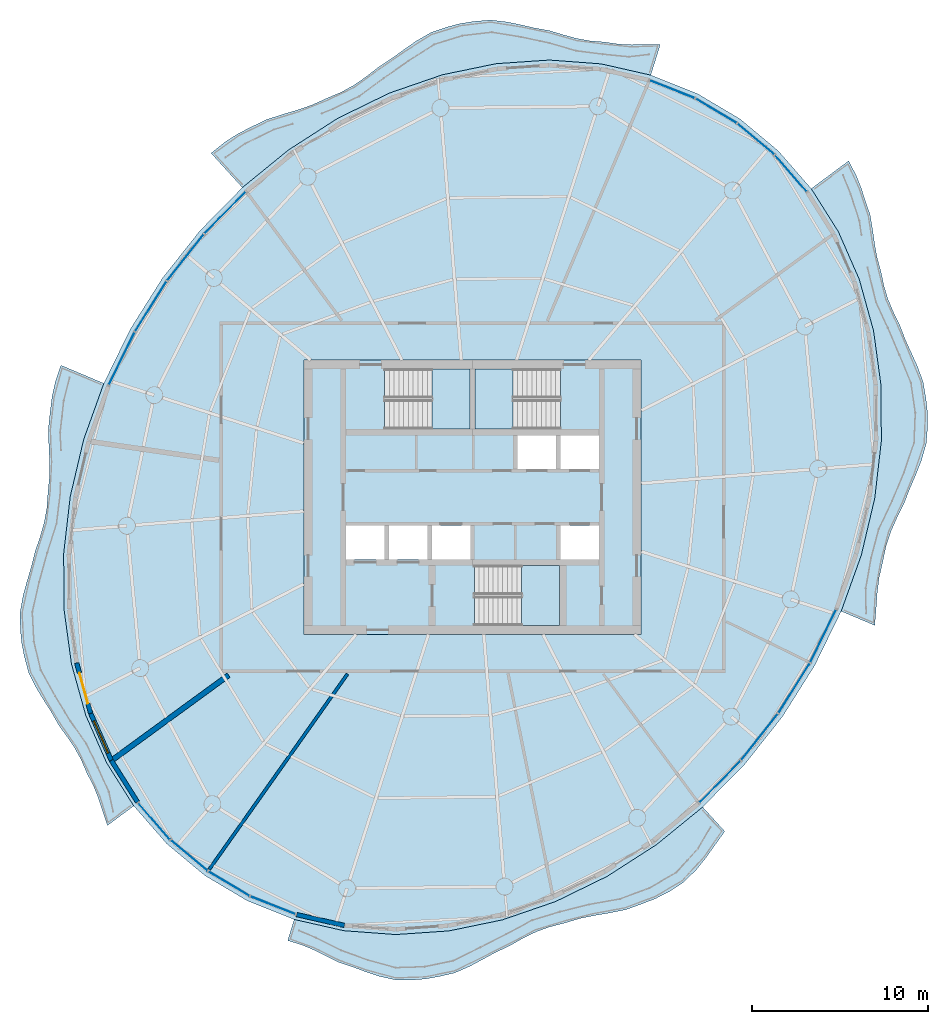
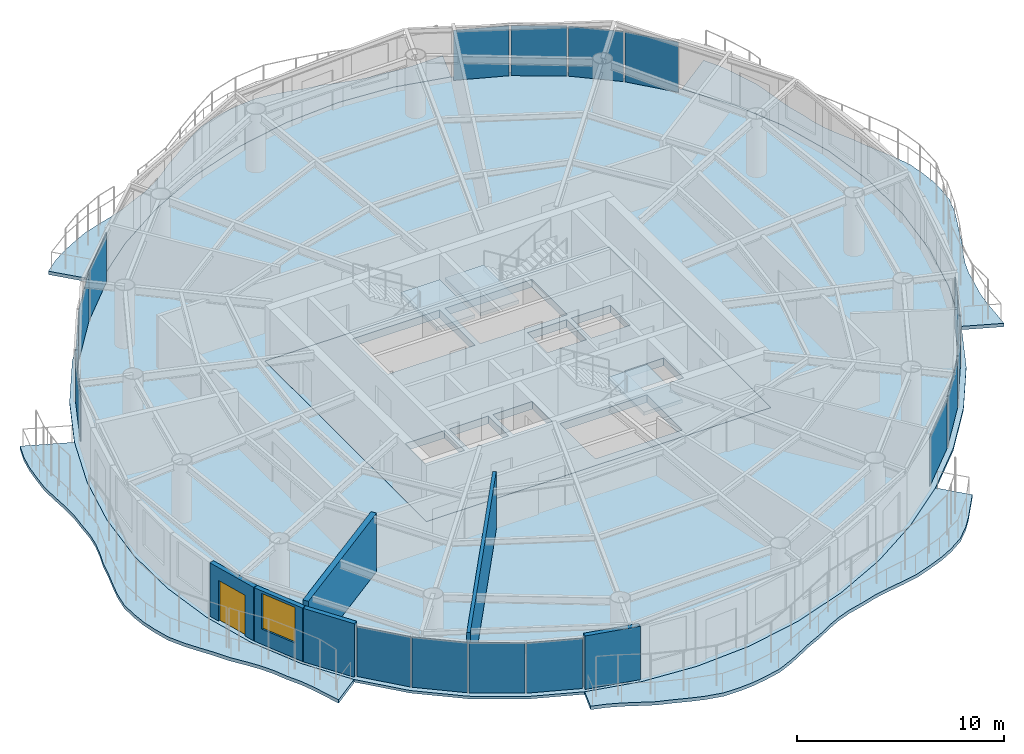
# One storey, part 7 of 14: 16 plates, 9 slabs, 6 walls, 1 door, 1 window, 2 openings, 19 elements without a shape of their own.
"""IFC4 building model written with IfcOpenShell, lengths in metres."""

from ifc_helpers import new_model, si_unit, direction, frame, frame_2d, origin, origin_2d, place, context, subcontext, project, spatial, polyline, rectangle, outline, extrude, material, layer, layer_set, type_object, element, fill, aggregate, save


model = new_model("IFC4")

# Units and contexts
model_context = context("Model", 3, precision=1e-05, world=origin(), true_north=direction((0.0, 1.0)))
body_context = subcontext(model_context, "Body", "Model", "MODEL_VIEW")
ifc_project = project(units=[si_unit("LENGTHUNIT", "METRE"), si_unit("AREAUNIT", "SQUARE_METRE"), si_unit("VOLUMEUNIT", "CUBIC_METRE"), si_unit("PLANEANGLEUNIT", "RADIAN"), si_unit("MASSUNIT", "GRAM", prefix="KILO")], contexts=[model_context])

# Site, building, storey
site_placement = place(None, origin())
site = spatial("IfcSite", under=ifc_project, at=site_placement, CompositionType="ELEMENT")
building_placement = place(site_placement, origin())
building = spatial("IfcBuilding", under=site, at=building_placement, Name="Vermilion Reach Broadcast Tower", CompositionType="ELEMENT")
storey_placement = place(building_placement, frame((0.0, 0.0, 254.10009765625)))
storey = spatial("IfcBuildingStorey", under=building, at=storey_placement, Name="L62", CompositionType="ELEMENT", Elevation=254.10009765625)

# Slabs
ifc_material_1 = material(Name="Concrete C40/50", Category="concrete")
ifc_layer_1 = layer(ifc_material_1, 0.199951171875)
ifc_layer_set_1 = layer_set([ifc_layer_1], Name="Balcony slab 200")
slab_type_1 = type_object("IfcSlabType", Name="Balcony slab 200", PredefinedType="FLOOR", material=ifc_layer_set_1)
placement_1 = place(storey_placement, frame((0.0, 0.0, -0.2001953125)))
element("IfcSlab", 1, at=placement_1, inside=storey, type_object=slab_type_1, Name="Balcony slab L62 group 1", PredefinedType="FLOOR", context=body_context, shape_type="SweptSolid", body=[
    extrude(outline(polyline([(4.143310546875, 24.01708984375), (1.318603515625, 24.65771484375), (-1.631103515625, 24.87646484375), (-4.65576171875, 24.66943359375), (-7.703369140625, 24.040283203125), (-10.7216796875, 23.0), (-13.659423828125, 21.566162109375), (-16.466064453125, 19.76318359375), (-19.093505859375, 17.6220703125), (-20.87353515625, 19.5771484375), (-20.1015625, 20.20068359375), (-19.383544921875, 20.660888671875), (-18.614990234375, 21.05908203125), (-17.71826171875, 21.490234375), (-16.779052734375, 21.79345703125), (-15.946044921875, 22.039794921875), (-15.13525390625, 22.32080078125), (-14.29736328125, 22.699951171875), (-13.473388671875, 23.048095703125), (-12.756103515625, 23.44189453125), (-12.07568359375, 23.91064453125), (-11.33642578125, 24.48291015625), (-10.563720703125, 24.99072265625), (-9.887939453125, 25.480224609375), (-9.207763671875, 25.95556640625), (-8.362548828125, 26.443359375), (-7.468017578125, 26.74951171875), (-6.715087890625, 26.9501953125), (-5.946044921875, 27.072509765625), (-4.99560546875, 27.15478515625), (-4.058837890625, 27.049072265625), (-3.288330078125, 26.890380859375), (-2.5166015625, 26.713134765625), (-1.62646484375, 26.550048828125), (-0.7841796875, 26.298095703125), (-0.05712890625, 26.103515625), (0.674560546875, 25.971435546875), (1.505126953125, 25.9033203125), (2.316650390625, 25.783935546875), (3.050537109375, 25.74609375), (3.79541015625, 25.757080078125), (4.685791015625, 25.7685546875), (4.143310546875, 24.01708984375)])), origin(), (0.0, 0.0, 1.0), 0.2001953125),
])
element("IfcSlab", 2, at=placement_1, inside=storey, type_object=slab_type_1, Name="Balcony slab L62 group 2", PredefinedType="FLOOR", context=body_context, shape_type="SweptSolid", body=[
    extrude(outline(polyline([(-26.975341796875, 6.48193359375), (-28.119873046875, 3.291748046875), (-28.8857421875, 0.045166015625), (-29.26025390625, -3.202392578125), (-29.23681640625, -6.39501953125), (-28.815673828125, -9.47802734375), (-28.004150390625, -12.399169921875), (-26.816162109375, -15.10791015625), (-25.27197265625, -17.558349609375), (-26.771484375, -18.673828125), (-27.055419921875, -17.826416015625), (-27.28759765625, -17.11669921875), (-27.559814453125, -16.432373046875), (-27.933837890625, -15.700927734375), (-28.26416015625, -14.935546875), (-28.622314453125, -14.28515625), (-29.03955078125, -13.66064453125), (-29.550537109375, -12.949951171875), (-29.996826171875, -12.166015625), (-30.421630859375, -11.49755859375), (-30.83203125, -10.824951171875), (-31.25048828125, -9.980224609375), (-31.499267578125, -9.0595703125), (-31.6513671875, -8.295166015625), (-31.724609375, -7.52001953125), (-31.744140625, -6.57470703125), (-31.57373046875, -5.614013671875), (-31.356201171875, -4.814208984375), (-31.119873046875, -4.01416015625), (-30.89453125, -3.114501953125), (-30.5927734375, -2.22607421875), (-30.36669921875, -1.429443359375), (-30.2216796875, -0.62353515625), (-30.1552734375, 0.267333984375), (-30.066162109375, 1.180419921875), (-30.06298828125, 2.03662109375), (-30.104248046875, 2.903076171875), (-30.132080078125, 3.887939453125), (-30.02978515625, 4.877197265625), (-29.91845703125, 5.737548828125), (-29.73486328125, 6.57177734375), (-29.416015625, 7.511962890625), (-26.975341796875, 6.48193359375)])), origin(), (0.0, 0.0, 1.0), 0.2001953125),
])
element("IfcSlab", 3, at=placement_1, inside=storey, type_object=slab_type_1, Name="Balcony slab L62 group 3", PredefinedType="FLOOR", context=body_context, shape_type="SweptSolid", body=[
    extrude(outline(polyline([(-16.143310546875, -24.01708984375), (-13.318603515625, -24.65771484375), (-10.368896484375, -24.87646484375), (-7.34423828125, -24.66943359375), (-4.296630859375, -24.040283203125), (-1.2783203125, -23.0), (1.659423828125, -21.566162109375), (4.466064453125, -19.76318359375), (7.093505859375, -17.6220703125), (8.3544921875, -19.007080078125), (7.7802734375, -19.806396484375), (7.2705078125, -20.52197265625), (6.7255859375, -21.19482421875), (6.015380859375, -21.89990234375), (5.19189453125, -22.436279296875), (4.444580078125, -22.81591796875), (3.654296875, -23.128662109375), (2.725830078125, -23.46142578125), (1.76953125, -23.65478515625), (0.9287109375, -23.795166015625), (0.1025390625, -23.9658203125), (-0.77001953125, -24.225830078125), (-1.6240234375, -24.446533203125), (-2.3740234375, -24.719482421875), (-3.09765625, -25.070068359375), (-3.89111328125, -25.51904296875), (-4.706787109375, -25.90234375), (-5.42138671875, -26.2890625), (-6.136474609375, -26.673095703125), (-7.01708984375, -27.061279296875), (-7.926025390625, -27.270751953125), (-8.676513671875, -27.403564453125), (-9.432373046875, -27.4619140625), (-10.376220703125, -27.4580078125), (-11.286865234375, -27.258056640625), (-12.010986328125, -27.02099609375), (-12.732421875, -26.751953125), (-13.5888671875, -26.462890625), (-14.381591796875, -26.070556640625), (-15.04931640625, -25.74072265625), (-15.72802734375, -25.460205078125), (-16.515625, -25.219482421875), (-16.143310546875, -24.01708984375)])), origin(), (0.0, 0.0, 1.0), 0.2001953125),
])
element("IfcSlab", 4, at=placement_1, inside=storey, type_object=slab_type_1, Name="Balcony slab L62 group 4", PredefinedType="FLOOR", context=body_context, shape_type="SweptSolid", body=[
    extrude(outline(polyline([(14.975341796875, -6.48193359375), (16.119873046875, -3.291748046875), (16.8857421875, -0.045166015625), (17.26025390625, 3.202392578125), (17.23681640625, 6.39501953125), (16.815673828125, 9.47802734375), (16.004150390625, 12.399169921875), (14.816162109375, 15.10791015625), (13.27197265625, 17.558349609375), (15.3955078125, 19.13818359375), (15.8291015625, 18.31396484375), (16.10205078125, 17.630126953125), (16.33447265625, 16.920654296875), (16.623046875, 16.066650390625), (16.775390625, 15.15966796875), (16.87939453125, 14.39794921875), (17.015869140625, 13.650390625), (17.2392578125, 12.8388671875), (17.413330078125, 12.004150390625), (17.6357421875, 11.279052734375), (17.9287109375, 10.573974609375), (18.310302734375, 9.786376953125), (18.636474609375, 8.941650390625), (18.9736328125, 8.202392578125), (19.308837890625, 7.463134765625), (19.636962890625, 6.56689453125), (19.799560546875, 5.61572265625), (19.887939453125, 4.818115234375), (19.8935546875, 4.02001953125), (19.817626953125, 3.064697265625), (19.547119140625, 2.115966796875), (19.238525390625, 1.328857421875), (18.901123046875, 0.545166015625), (18.554443359375, -0.337158203125), (18.131591796875, -1.19580078125), (17.79150390625, -1.972412109375), (17.53125, -2.767822265625), (17.34326171875, -3.654296875), (17.137939453125, -4.55712890625), (17.028564453125, -5.418212890625), (16.967041015625, -6.29638671875), (16.884765625, -7.287841796875), (14.975341796875, -6.48193359375)])), origin(), (0.0, 0.0, 1.0), 0.2001953125),
])
ifc_material_2 = material(Name="Concrete C40", Category="concrete")
ifc_layer_2 = layer(ifc_material_2, 0.449951171875)
ifc_layer_set_2 = layer_set([ifc_layer_2], Name="Core floor slab 450 mm Concrete C40")
slab_type_2 = type_object("IfcSlabType", Name="Core floor slab 450 mm Concrete C40", PredefinedType="FLOOR", material=ifc_layer_set_2)
slab_5_placement = place(storey_placement, frame((0.0, 0.0, -0.4501953125)))
element("IfcSlab", 5, at=slab_5_placement, inside=storey, type_object=slab_type_2, Name="L62 core floor", PredefinedType="FLOOR", context=body_context, shape_type="SweptSolid", body=[
    extrude(outline(polyline([(-15.60009765625, -7.800048828125), (3.60009765625, -7.800048828125), (3.60009765625, 7.800048828125), (-15.60009765625, 7.800048828125), (-15.60009765625, -7.800048828125)]), holes=[polyline([(-3.433349609375, 1.60009765625), (-1.24169921875, 1.60009765625), (-1.24169921875, 3.530029296875), (-3.433349609375, 3.530029296875), (-3.433349609375, 1.60009765625)]), polyline([(-0.99169921875, 1.60009765625), (1.199951171875, 1.60009765625), (1.199951171875, 3.530029296875), (-0.99169921875, 3.530029296875), (-0.99169921875, 1.60009765625)]), polyline([(-13.199951171875, -3.530029296875), (-11.00830078125, -3.530029296875), (-11.00830078125, -1.60009765625), (-13.199951171875, -1.60009765625), (-13.199951171875, -3.530029296875)]), polyline([(-10.75830078125, -3.530029296875), (-8.566650390625, -3.530029296875), (-8.566650390625, -1.60009765625), (-10.75830078125, -1.60009765625), (-10.75830078125, -3.530029296875)]), polyline([(-8.316650390625, -3.530029296875), (-6.125, -3.530029296875), (-6.125, -1.60009765625), (-8.316650390625, -1.60009765625), (-8.316650390625, -3.530029296875)]), polyline([(-0.99169921875, -3.530029296875), (1.199951171875, -3.530029296875), (1.199951171875, -1.60009765625), (-0.99169921875, -1.60009765625), (-0.99169921875, -3.530029296875)]), polyline([(-10.999267578125, 3.8798828125), (-6.14990234375, 3.8798828125), (-6.14990234375, 7.300048828125), (-10.999267578125, 7.300048828125), (-10.999267578125, 3.8798828125)]), polyline([(-1.000732421875, 7.300048828125), (-5.85009765625, 7.300048828125), (-5.85009765625, 3.8798828125), (-1.000732421875, 3.8798828125), (-1.000732421875, 7.300048828125)]), polyline([(-5.8994140625, -7.300048828125), (-1.050048828125, -7.300048828125), (-1.050048828125, -3.8798828125), (-5.8994140625, -3.8798828125), (-5.8994140625, -7.300048828125)])]), origin(), (0.0, 0.0, 1.0), 0.4501953125),
])

# Stair, slab
ifc_material_3 = material(Name="Concrete C40", Category="concrete")
stair_type = type_object("IfcStairType", Name="Exit stair RC 22 risers 164 mm", PredefinedType="HALF_TURN_STAIR", material=ifc_material_3)
placement_2 = place(storey_placement, origin())
stair_1 = element("IfcStair", 6, at=placement_2, inside=storey, type_object=stair_type, Name="L62 Exit stair ST1", PredefinedType="HALF_TURN_STAIR")
ifc_material_4 = material(Name="Concrete C40", Category="concrete")
ifc_layer_3 = layer(ifc_material_4, 0.199951171875)
ifc_layer_set_3 = layer_set([ifc_layer_3], Name="Exit stair landing Concrete C40")
slab_type_3 = type_object("IfcSlabType", Name="Exit stair landing Concrete C40", PredefinedType="LANDING", material=ifc_layer_set_3)
placement_3 = place(storey_placement, frame((0.0, 0.0, 1.599853515625)))
slab_6 = element("IfcSlab", 7, at=placement_3, type_object=slab_type_3, Name="ST1 landing 1", PredefinedType="LANDING", context=body_context, shape_type="SweptSolid", body=[
    extrude(outline(polyline([(-8.300048828125, 3.8798828125), (-6.14990234375, 3.8798828125), (-6.14990234375, 7.300048828125), (-8.300048828125, 7.300048828125), (-8.300048828125, 3.8798828125)])), origin(), (0.0, 0.0, 1.0), 0.199951171875),
])
aggregate(stair_1, [slab_6])

stair_2 = element("IfcStair", 8, at=placement_2, inside=storey, type_object=stair_type, Name="L62 Exit stair ST2", PredefinedType="HALF_TURN_STAIR")
slab_7 = element("IfcSlab", 9, at=placement_3, type_object=slab_type_3, Name="ST2 landing 1", PredefinedType="LANDING", context=body_context, shape_type="SweptSolid", body=[
    extrude(outline(polyline([(-3.699951171875, 7.300048828125), (-5.85009765625, 7.300048828125), (-5.85009765625, 3.8798828125), (-3.699951171875, 3.8798828125), (-3.699951171875, 7.300048828125)])), origin(), (0.0, 0.0, 1.0), 0.199951171875),
])
aggregate(stair_2, [slab_7])

stair_3 = element("IfcStair", 10, at=placement_2, inside=storey, type_object=stair_type, Name="L62 Exit stair ST3", PredefinedType="HALF_TURN_STAIR")
slab_8 = element("IfcSlab", 11, at=placement_3, type_object=slab_type_3, Name="ST3 landing 1", PredefinedType="LANDING", context=body_context, shape_type="SweptSolid", body=[
    extrude(outline(polyline([(-3.199951171875, -7.300048828125), (-1.050048828125, -7.300048828125), (-1.050048828125, -3.8798828125), (-3.199951171875, -3.8798828125), (-3.199951171875, -7.300048828125)])), origin(), (0.0, 0.0, 1.0), 0.199951171875),
])
aggregate(stair_3, [slab_8])

# Slab
ifc_material_5 = material(Name="Concrete C40", Category="concrete")
ifc_layer_4 = layer(ifc_material_5, 0.14990234375)
ifc_layer_set_4 = layer_set([ifc_layer_4], Name="Floor slab Concrete C40 composite 150")
slab_type_4 = type_object("IfcSlabType", Name="Floor slab Concrete C40 composite 150", PredefinedType="FLOOR", material=ifc_layer_set_4)
slab_9_placement = place(storey_placement, frame((0.0, 0.0, -0.150146484375)))
element("IfcSlab", 12, at=slab_9_placement, inside=storey, type_object=slab_type_4, Name="Floor slab L62", PredefinedType="FLOOR", context=body_context, shape_type="SweptSolid", body=[
    extrude(outline(polyline([(9.2265625, 21.52099609375), (6.79443359375, 22.965576171875), (4.143310546875, 24.01708984375), (1.318603515625, 24.65771484375), (-1.631103515625, 24.87646484375), (-4.65576171875, 24.66943359375), (-7.703369140625, 24.040283203125), (-10.7216796875, 23.0), (-13.659423828125, 21.566162109375), (-16.466064453125, 19.76318359375), (-19.093505859375, 17.6220703125), (-21.4970703125, 15.179443359375), (-23.63525390625, 12.477294921875), (-25.471923828125, 9.5615234375), (-26.975341796875, 6.48193359375), (-28.119873046875, 3.291748046875), (-28.8857421875, 0.045166015625), (-29.26025390625, -3.202392578125), (-29.23681640625, -6.39501953125), (-28.815673828125, -9.47802734375), (-28.004150390625, -12.399169921875), (-26.816162109375, -15.10791015625), (-25.27197265625, -17.558349609375), (-23.39794921875, -19.708251953125), (-21.2265625, -21.52099609375), (-18.79443359375, -22.965576171875), (-16.143310546875, -24.01708984375), (-13.318603515625, -24.65771484375), (-10.368896484375, -24.87646484375), (-7.34423828125, -24.66943359375), (-4.296630859375, -24.040283203125), (-1.2783203125, -23.0), (1.659423828125, -21.566162109375), (4.466064453125, -19.76318359375), (7.093505859375, -17.6220703125), (9.4970703125, -15.179443359375), (11.63525390625, -12.477294921875), (13.471923828125, -9.5615234375), (14.975341796875, -6.48193359375), (16.119873046875, -3.291748046875), (16.8857421875, -0.045166015625), (17.26025390625, 3.202392578125), (17.23681640625, 6.39501953125), (16.815673828125, 9.47802734375), (16.004150390625, 12.399169921875), (14.816162109375, 15.10791015625), (13.27197265625, 17.558349609375), (11.39794921875, 19.708251953125), (9.2265625, 21.52099609375)]), holes=[polyline([(-15.60009765625, -7.800048828125), (3.60009765625, -7.800048828125), (3.60009765625, 7.800048828125), (-15.60009765625, 7.800048828125), (-15.60009765625, -7.800048828125)])]), origin(), (0.0, 0.0, 1.0), 0.150146484375),
])

# Curtain wall, plate
ifc_material_6 = material(Name="Low-e laminated clear glass in aluminium frame", Category="aluminium")
curtain_wall_type = type_object("IfcCurtainWallType", Name="Slot curtain wall", PredefinedType="NOTDEFINED", material=ifc_material_6)
curtain_wall_1 = element("IfcCurtainWall", 13, at=placement_2, inside=storey, type_object=curtain_wall_type, Name="Slot curtain wall L62 46", PredefinedType="NOTDEFINED")
ifc_material_7 = material(Name="Low-e laminated clear glass", Category="glass")
ifc_layer_5 = layer(ifc_material_7, 0.028076171875)
ifc_layer_set_5 = layer_set([ifc_layer_5], Name="Slot glass panel")
plate_type = type_object("IfcPlateType", Name="Slot glass panel", PredefinedType="CURTAIN_PANEL", material=ifc_layer_set_5)
plate_1_placement = place(storey_placement, frame((12.109619140625, 18.436767578125, 0.0), z_axis=(0.0, 0.0, 1.0), x_axis=(-0.657052122135, 0.753845149084, 0.0)))
plate_1 = element("IfcPlate", 14, at=plate_1_placement, type_object=plate_type, Name="Slot glass panel L62 46", PredefinedType="CURTAIN_PANEL", context=body_context, shape_type="SweptSolid", body=[
    extrude(rectangle(XDim=2.72509765625, YDim=0.028076171875, at=origin_2d()), origin(), (0.0, 0.0, 1.0), 2.949951171875),
])
aggregate(curtain_wall_1, [plate_1])

curtain_wall_2 = element("IfcCurtainWall", 15, at=placement_2, inside=storey, type_object=curtain_wall_type, Name="Slot curtain wall L62 47", PredefinedType="NOTDEFINED")
plate_2_placement = place(storey_placement, frame((10.12060546875, 20.385009765625, 0.0), z_axis=(0.0, 0.0, 1.0), x_axis=(-0.767688449298, 0.640823255519, 0.0)))
plate_2 = element("IfcPlate", 16, at=plate_2_placement, type_object=plate_type, Name="Slot glass panel L62 47", PredefinedType="CURTAIN_PANEL", context=body_context, shape_type="SweptSolid", body=[
    extrude(rectangle(XDim=2.700927734375, YDim=0.028076171875, at=origin_2d()), origin(), (0.0, 0.0, 1.0), 2.949951171875),
])
aggregate(curtain_wall_2, [plate_2])

curtain_wall_3 = element("IfcCurtainWall", 17, at=placement_2, inside=storey, type_object=curtain_wall_type, Name="Slot curtain wall L62 00", PredefinedType="NOTDEFINED")
plate_3_placement = place(storey_placement, frame((7.857666015625, 21.986083984375, 0.0), z_axis=(0.0, 0.0, 1.0), x_axis=(-0.859791897191, 0.510644586307, 0.0)))
plate_3 = element("IfcPlate", 18, at=plate_3_placement, type_object=plate_type, Name="Slot glass panel L62 00", PredefinedType="CURTAIN_PANEL", context=body_context, shape_type="SweptSolid", body=[
    extrude(rectangle(XDim=2.700927734375, YDim=0.028076171875, at=origin_2d()), origin(), (0.0, 0.0, 1.0), 2.949951171875),
])
aggregate(curtain_wall_3, [plate_3])

curtain_wall_4 = element("IfcCurtainWall", 19, at=placement_2, inside=storey, type_object=curtain_wall_type, Name="Slot curtain wall L62 01", PredefinedType="NOTDEFINED")
plate_4_placement = place(storey_placement, frame((5.3583984375, 23.21337890625, 0.0), z_axis=(0.0, 0.0, 1.0), x_axis=(-0.929548703592, 0.368699345878, 0.0)))
plate_4 = element("IfcPlate", 20, at=plate_4_placement, type_object=plate_type, Name="Slot glass panel L62 01", PredefinedType="CURTAIN_PANEL", context=body_context, shape_type="SweptSolid", body=[
    extrude(rectangle(XDim=2.72509765625, YDim=0.028076171875, at=origin_2d()), origin(), (0.0, 0.0, 1.0), 2.949951171875),
])
aggregate(curtain_wall_4, [plate_4])

curtain_wall_5 = element("IfcCurtainWall", 21, at=placement_2, inside=storey, type_object=curtain_wall_type, Name="Slot curtain wall L62 10", PredefinedType="NOTDEFINED")
plate_5_placement = place(storey_placement, frame((-20.081787109375, 16.190673828125, 0.0), z_axis=(0.0, 0.0, 1.0), x_axis=(-0.701376531472, -0.712790965922, 0.0)))
plate_5 = element("IfcPlate", 22, at=plate_5_placement, type_object=plate_type, Name="Slot glass panel L62 10", PredefinedType="CURTAIN_PANEL", context=body_context, shape_type="SweptSolid", body=[
    extrude(rectangle(XDim=3.314208984375, YDim=0.028076171875, at=origin_2d()), origin(), (0.0, 0.0, 1.0), 2.949951171875),
])
aggregate(curtain_wall_5, [plate_5])

curtain_wall_6 = element("IfcCurtainWall", 23, at=placement_2, inside=storey, type_object=curtain_wall_type, Name="Slot curtain wall L62 11", PredefinedType="NOTDEFINED")
plate_6_placement = place(storey_placement, frame((-22.331298828125, 13.642578125, 0.0), z_axis=(0.0, 0.0, 1.0), x_axis=(-0.620522547528, -0.784188604871, 0.0)))
plate_6 = element("IfcPlate", 24, at=plate_6_placement, type_object=plate_type, Name="Slot glass panel L62 11", PredefinedType="CURTAIN_PANEL", context=body_context, shape_type="SweptSolid", body=[
    extrude(rectangle(XDim=3.333740234375, YDim=0.028076171875, at=origin_2d()), origin(), (0.0, 0.0, 1.0), 2.949951171875),
])
aggregate(curtain_wall_6, [plate_6])

curtain_wall_7 = element("IfcCurtainWall", 25, at=placement_2, inside=storey, type_object=curtain_wall_type, Name="Slot curtain wall L62 12", PredefinedType="NOTDEFINED")
plate_7_placement = place(storey_placement, frame((-24.300048828125, 10.859619140625, 0.0), z_axis=(0.0, 0.0, 1.0), x_axis=(-0.53296024103, -0.846140284753, 0.0)))
plate_7 = element("IfcPlate", 26, at=plate_7_placement, type_object=plate_type, Name="Slot glass panel L62 12", PredefinedType="CURTAIN_PANEL", context=body_context, shape_type="SweptSolid", body=[
    extrude(rectangle(XDim=3.333740234375, YDim=0.028076171875, at=origin_2d()), origin(), (0.0, 0.0, 1.0), 2.949951171875),
])
aggregate(curtain_wall_7, [plate_7])

curtain_wall_8 = element("IfcCurtainWall", 27, at=placement_2, inside=storey, type_object=curtain_wall_type, Name="Slot curtain wall L62 13", PredefinedType="NOTDEFINED")
plate_8_placement = place(storey_placement, frame((-25.954345703125, 7.890380859375, 0.0), z_axis=(0.0, 0.0, 1.0), x_axis=(-0.4387234737, -0.898622119483, 0.0)))
plate_8 = element("IfcPlate", 28, at=plate_8_placement, type_object=plate_type, Name="Slot glass panel L62 13", PredefinedType="CURTAIN_PANEL", context=body_context, shape_type="SweptSolid", body=[
    extrude(rectangle(XDim=3.314208984375, YDim=0.028076171875, at=origin_2d()), origin(), (0.0, 0.0, 1.0), 2.949951171875),
])
aggregate(curtain_wall_8, [plate_8])

curtain_wall_9 = element("IfcCurtainWall", 29, at=placement_2, inside=storey, type_object=curtain_wall_type, Name="Slot curtain wall L62 22", PredefinedType="NOTDEFINED")
plate_9_placement = place(storey_placement, frame((-24.109619140625, -18.436767578125, 0.0), z_axis=(0.0, 0.0, 1.0), x_axis=(0.657052122135, -0.753845149084, 0.0)))
plate_9 = element("IfcPlate", 30, at=plate_9_placement, type_object=plate_type, Name="Slot glass panel L62 22", PredefinedType="CURTAIN_PANEL", context=body_context, shape_type="SweptSolid", body=[
    extrude(rectangle(XDim=2.72509765625, YDim=0.028076171875, at=origin_2d()), origin(), (0.0, 0.0, 1.0), 2.949951171875),
])
aggregate(curtain_wall_9, [plate_9])

curtain_wall_10 = element("IfcCurtainWall", 31, at=placement_2, inside=storey, type_object=curtain_wall_type, Name="Slot curtain wall L62 23", PredefinedType="NOTDEFINED")
plate_10_placement = place(storey_placement, frame((-22.12060546875, -20.385009765625, 0.0), z_axis=(0.0, 0.0, 1.0), x_axis=(0.767688449298, -0.640823255519, 0.0)))
plate_10 = element("IfcPlate", 32, at=plate_10_placement, type_object=plate_type, Name="Slot glass panel L62 23", PredefinedType="CURTAIN_PANEL", context=body_context, shape_type="SweptSolid", body=[
    extrude(rectangle(XDim=2.700927734375, YDim=0.028076171875, at=origin_2d()), origin(), (0.0, 0.0, 1.0), 2.949951171875),
])
aggregate(curtain_wall_10, [plate_10])

curtain_wall_11 = element("IfcCurtainWall", 33, at=placement_2, inside=storey, type_object=curtain_wall_type, Name="Slot curtain wall L62 24", PredefinedType="NOTDEFINED")
plate_11_placement = place(storey_placement, frame((-19.857666015625, -21.986083984375, 0.0), z_axis=(0.0, 0.0, 1.0), x_axis=(0.859791897191, -0.510644586307, 0.0)))
plate_11 = element("IfcPlate", 34, at=plate_11_placement, type_object=plate_type, Name="Slot glass panel L62 24", PredefinedType="CURTAIN_PANEL", context=body_context, shape_type="SweptSolid", body=[
    extrude(rectangle(XDim=2.700927734375, YDim=0.028076171875, at=origin_2d()), origin(), (0.0, 0.0, 1.0), 2.949951171875),
])
aggregate(curtain_wall_11, [plate_11])

curtain_wall_12 = element("IfcCurtainWall", 35, at=placement_2, inside=storey, type_object=curtain_wall_type, Name="Slot curtain wall L62 25", PredefinedType="NOTDEFINED")
plate_12_placement = place(storey_placement, frame((-17.3583984375, -23.21337890625, 0.0), z_axis=(0.0, 0.0, 1.0), x_axis=(0.929548703592, -0.368699345878, 0.0)))
plate_12 = element("IfcPlate", 36, at=plate_12_placement, type_object=plate_type, Name="Slot glass panel L62 25", PredefinedType="CURTAIN_PANEL", context=body_context, shape_type="SweptSolid", body=[
    extrude(rectangle(XDim=2.72509765625, YDim=0.028076171875, at=origin_2d()), origin(), (0.0, 0.0, 1.0), 2.949951171875),
])
aggregate(curtain_wall_12, [plate_12])

curtain_wall_13 = element("IfcCurtainWall", 37, at=placement_2, inside=storey, type_object=curtain_wall_type, Name="Slot curtain wall L62 34", PredefinedType="NOTDEFINED")
plate_13_placement = place(storey_placement, frame((8.081787109375, -16.190673828125, 0.0), z_axis=(0.0, 0.0, 1.0), x_axis=(0.701376531472, 0.712790965922, 0.0)))
plate_13 = element("IfcPlate", 38, at=plate_13_placement, type_object=plate_type, Name="Slot glass panel L62 34", PredefinedType="CURTAIN_PANEL", context=body_context, shape_type="SweptSolid", body=[
    extrude(rectangle(XDim=3.314208984375, YDim=0.028076171875, at=origin_2d()), origin(), (0.0, 0.0, 1.0), 2.949951171875),
])
aggregate(curtain_wall_13, [plate_13])

curtain_wall_14 = element("IfcCurtainWall", 39, at=placement_2, inside=storey, type_object=curtain_wall_type, Name="Slot curtain wall L62 35", PredefinedType="NOTDEFINED")
plate_14_placement = place(storey_placement, frame((10.331298828125, -13.642578125, 0.0), z_axis=(0.0, 0.0, 1.0), x_axis=(0.620522547528, 0.784188604871, 0.0)))
plate_14 = element("IfcPlate", 40, at=plate_14_placement, type_object=plate_type, Name="Slot glass panel L62 35", PredefinedType="CURTAIN_PANEL", context=body_context, shape_type="SweptSolid", body=[
    extrude(rectangle(XDim=3.333740234375, YDim=0.028076171875, at=origin_2d()), origin(), (0.0, 0.0, 1.0), 2.949951171875),
])
aggregate(curtain_wall_14, [plate_14])

curtain_wall_15 = element("IfcCurtainWall", 41, at=placement_2, inside=storey, type_object=curtain_wall_type, Name="Slot curtain wall L62 36", PredefinedType="NOTDEFINED")
plate_15_placement = place(storey_placement, frame((12.300048828125, -10.859619140625, 0.0), z_axis=(0.0, 0.0, 1.0), x_axis=(0.53296024103, 0.846140284753, 0.0)))
plate_15 = element("IfcPlate", 42, at=plate_15_placement, type_object=plate_type, Name="Slot glass panel L62 36", PredefinedType="CURTAIN_PANEL", context=body_context, shape_type="SweptSolid", body=[
    extrude(rectangle(XDim=3.333740234375, YDim=0.028076171875, at=origin_2d()), origin(), (0.0, 0.0, 1.0), 2.949951171875),
])
aggregate(curtain_wall_15, [plate_15])

curtain_wall_16 = element("IfcCurtainWall", 43, at=placement_2, inside=storey, type_object=curtain_wall_type, Name="Slot curtain wall L62 37", PredefinedType="NOTDEFINED")
plate_16_placement = place(storey_placement, frame((13.954345703125, -7.890380859375, 0.0), z_axis=(0.0, 0.0, 1.0), x_axis=(0.4387234737, 0.898622119483, 0.0)))
plate_16 = element("IfcPlate", 44, at=plate_16_placement, type_object=plate_type, Name="Slot glass panel L62 37", PredefinedType="CURTAIN_PANEL", context=body_context, shape_type="SweptSolid", body=[
    extrude(rectangle(XDim=3.314208984375, YDim=0.028076171875, at=origin_2d()), origin(), (0.0, 0.0, 1.0), 2.949951171875),
])
aggregate(curtain_wall_16, [plate_16])

# Walls
ifc_material_8 = material(Name="Fire-rated block, plastered")
ifc_layer_6 = layer(ifc_material_8, 0.175048828125)
ifc_layer_set_6 = layer_set([ifc_layer_6], Name="Partition 175 fire-rated block")
wall_type_1 = type_object("IfcWallType", Name="Partition 175 fire-rated block", PredefinedType="PARTITIONING", material=ifc_layer_set_6)
wall_1_placement = place(storey_placement, frame((-20.98095703125, -21.174072265625, 0.0), z_axis=(0.0, 0.0, 1.0), x_axis=(0.577574818001, 0.816337754615, 0.0)))
element("IfcWall", 45, at=wall_1_placement, inside=storey, type_object=wall_type_1, Name="Partition 62.05", PredefinedType="PARTITIONING", context=body_context, shape_type="SweptSolid", body=[
    extrude(rectangle(XDim=13.626220703125, YDim=0.175048828125, at=frame_2d((6.81298828125, 0.0))), origin(), (0.0, 0.0, 1.0), 3.449951171875),
])
ifc_material_9 = material(Name="Double-leaf plasterboard on isolated steel stud", Category="steel")
ifc_layer_7 = layer(ifc_material_9, 0.300048828125)
ifc_layer_set_7 = layer_set([ifc_layer_7], Name="Partition 300 acoustic double leaf")
wall_type_2 = type_object("IfcWallType", Name="Partition 300 acoustic double leaf", PredefinedType="PARTITIONING", material=ifc_layer_set_7)
wall_2_placement = place(storey_placement, frame((-26.4404296875, -14.9091796875, 0.0), z_axis=(0.0, 0.0, 1.0), x_axis=(0.807908876314, 0.589307430441, 0.0)))
element("IfcWall", 46, at=wall_2_placement, inside=storey, type_object=wall_type_2, Name="Partition 62.04", PredefinedType="PARTITIONING", context=body_context, shape_type="SweptSolid", body=[
    extrude(rectangle(XDim=8.125, YDim=0.300048828125, at=frame_2d((4.0625, 0.0))), origin(), (0.0, 0.0, 1.0), 3.449951171875),
])

# Wall, opening, door
ifc_material_10 = material(Name="Terracotta rainscreen cladding", Category="masonry")
ifc_layer_8 = layer(ifc_material_10, 0.25)
ifc_layer_set_8 = layer_set([ifc_layer_8], Name="Terracotta rainscreen wall 250")
wall_type_3 = type_object("IfcWallType", Name="Terracotta rainscreen wall 250", PredefinedType="SOLIDWALL", material=ifc_layer_set_8)
wall_3_placement = place(storey_placement, frame((-28.518310546875, -9.4296875, 0.0), z_axis=(0.0, 0.0, 1.0), x_axis=(0.267622628511, -0.963523808065, 0.0)))
wall_3 = element("IfcWall", 47, at=wall_3_placement, inside=storey, type_object=wall_type_3, Name="External wall L62 19", PredefinedType="SOLIDWALL", context=body_context, shape_type="SweptSolid", body=[
    extrude(rectangle(XDim=2.96484375, YDim=0.25, at=frame_2d((1.482421875, 0.0))), origin(), (0.0, 0.0, 1.0), 3.14990234375),
])
opening_1_placement = place(wall_3_placement, frame((0.58203125, 0.0, 0.0)))
opening_1 = element("IfcOpeningElement", 48, at=opening_1_placement, cuts=wall_3, Name="Opening D70", PredefinedType="OPENING", context=body_context, shape_type="SweptSolid", body=[
    extrude(rectangle(XDim=1.800048828125, YDim=2.39990234375, at=frame_2d((0.89990234375, 1.199951171875))), frame((0.0, 0.135009765625, 0.0), z_axis=(0.0, -1.0, 0.0), x_axis=(1.0, 0.0, 0.0)), (0.0, 0.0, 1.0), 0.27001953125),
])
ifc_material_11 = material(Name="Low-e laminated clear glass in aluminium frame", Category="aluminium")
door_type = type_object("IfcDoorType", Name="Balcony sliding door 1800 x 2400", OperationType="DOUBLE_DOOR_SLIDING", PredefinedType="DOOR", material=ifc_material_11)
door_placement = place(opening_1_placement, origin())
door = element("IfcDoor", 49, at=door_placement, inside=storey, type_object=door_type, Name="Balcony door L62 run 05", OperationType="DOUBLE_DOOR_SLIDING", OverallHeight=2.39990234375, OverallWidth=1.800048828125, PredefinedType="DOOR", context=body_context, shape_type="SweptSolid", body=[
    extrude(rectangle(XDim=1.800048828125, YDim=2.39990234375, at=frame_2d((0.89990234375, 1.199951171875))), frame((0.0, 0.02490234375, 0.0), z_axis=(0.0, -1.0, 0.0), x_axis=(1.0, 0.0, 0.0)), (0.0, 0.0, 1.0), 0.050048828125),
])
fill(opening_1, door)

# Wall, opening, window
wall_4_placement = place(storey_placement, frame((-27.71630859375, -12.310546875, 0.0), z_axis=(0.0, 0.0, 1.0), x_axis=(0.401639105758, -0.915798028348, 0.0)))
wall_4 = element("IfcWall", 50, at=wall_4_placement, inside=storey, type_object=wall_type_3, Name="External wall L62 20", PredefinedType="SOLIDWALL", context=body_context, shape_type="SweptSolid", body=[
    extrude(rectangle(XDim=2.887939453125, YDim=0.25, at=frame_2d((1.44384765625, 0.0))), origin(), (0.0, 0.0, 1.0), 3.14990234375),
])
opening_2_placement = place(wall_4_placement, frame((0.444091796875, 0.0, 0.89990234375)))
opening_2 = element("IfcOpeningElement", 51, at=opening_2_placement, cuts=wall_4, Name="Opening W03", PredefinedType="OPENING", context=body_context, shape_type="SweptSolid", body=[
    extrude(rectangle(XDim=2.0, YDim=2.10009765625, at=frame_2d((1.0, 1.050048828125))), frame((0.0, 0.135009765625, 0.0), z_axis=(0.0, -1.0, 0.0), x_axis=(1.0, 0.0, 0.0)), (0.0, 0.0, 1.0), 0.27001953125),
])
ifc_material_12 = material(Name="Low-e laminated clear glass in aluminium frame", Category="aluminium")
window_type = type_object("IfcWindowType", Name="Punched window 2000 x 2100 sill 900", PartitioningType="SINGLE_PANEL", PredefinedType="WINDOW", material=ifc_material_12)
window_placement = place(opening_2_placement, origin())
window = element("IfcWindow", 52, at=window_placement, inside=storey, type_object=window_type, Name="Window L62 20", OverallHeight=2.10009765625, OverallWidth=2.0, PartitioningType="SINGLE_PANEL", PredefinedType="WINDOW", context=body_context, shape_type="SweptSolid", body=[
    extrude(rectangle(XDim=2.0, YDim=2.10009765625, at=frame_2d((1.0, 1.050048828125))), frame((0.0, 0.030029296875, 0.0), z_axis=(0.0, -1.0, 0.0), x_axis=(1.0, 0.0, 0.0)), (0.0, 0.0, 1.0), 0.06005859375),
])
fill(opening_2, window)

# Walls
wall_5_placement = place(storey_placement, frame((-26.5439453125, -14.978759765625, 0.0), z_axis=(0.0, 0.0, 1.0), x_axis=(0.533094811272, -0.846055507751, 0.0)))
element("IfcWall", 53, at=wall_5_placement, inside=storey, type_object=wall_type_3, Name="External wall L62 21", PredefinedType="SOLIDWALL", context=body_context, shape_type="SweptSolid", body=[
    extrude(rectangle(XDim=2.78271484375, YDim=0.25, at=frame_2d((1.391357421875, 0.0))), origin(), (0.0, 0.0, 1.0), 3.14990234375),
])
wall_6_placement = place(storey_placement, frame((-16.0009765625, -23.74267578125, 0.0), z_axis=(0.0, 0.0, 1.0), x_axis=(0.975244788098, -0.221128024654, 0.0)))
element("IfcWall", 54, at=wall_6_placement, inside=storey, type_object=wall_type_3, Name="External wall L62 26", PredefinedType="SOLIDWALL", context=body_context, shape_type="SweptSolid", body=[
    extrude(rectangle(XDim=2.7822265625, YDim=0.25, at=frame_2d((1.39111328125, 0.0))), origin(), (0.0, 0.0, 1.0), 3.14990234375),
])

save(model, "model.ifc")
